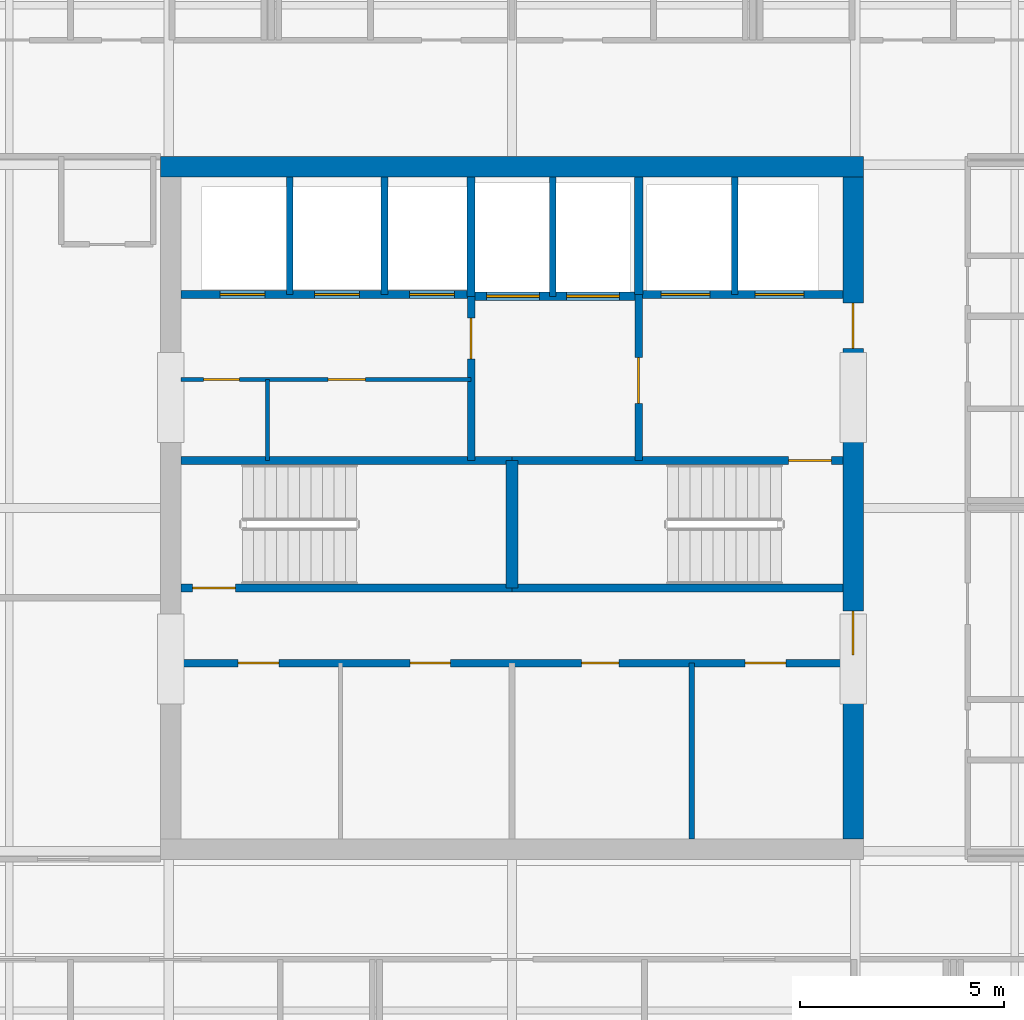
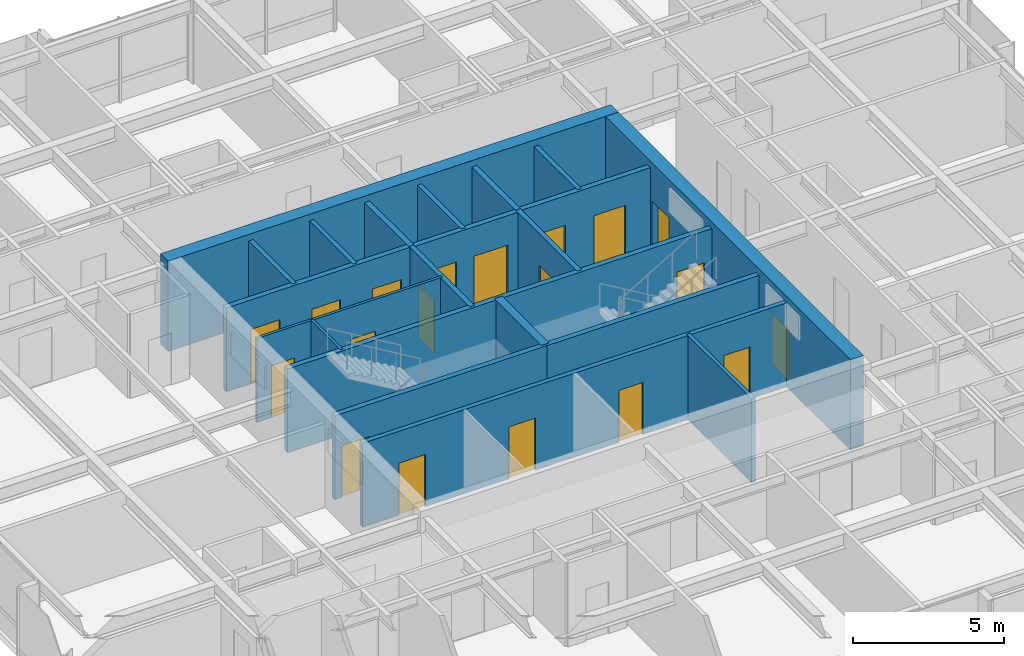
# One storey, part 28 of 33: 22 walls, 19 doors, 19 openings.
"""IFC4 building model written with IfcOpenShell, lengths in metres."""

from ifc_helpers import new_model, si_unit, direction, frame, frame_2d, origin, place, context, subcontext, project, spatial, rectangle, extrude, material, layer, layer_set, type_object, element, fill, save


model = new_model("IFC4")

# Units and contexts
model_context = context("Model", 3, precision=1e-05, world=origin(), true_north=direction((0.0, 1.0)))
body_context = subcontext(model_context, "Body", "Model", "MODEL_VIEW")
ifc_project = project(units=[si_unit("LENGTHUNIT", "METRE"), si_unit("AREAUNIT", "SQUARE_METRE"), si_unit("VOLUMEUNIT", "CUBIC_METRE"), si_unit("PLANEANGLEUNIT", "RADIAN"), si_unit("MASSUNIT", "GRAM", prefix="KILO")], contexts=[model_context])

# Site, building, storey
site_placement = place(None, origin())
site = spatial("IfcSite", under=ifc_project, at=site_placement, CompositionType="ELEMENT")
building_placement = place(site_placement, origin())
building = spatial("IfcBuilding", under=site, at=building_placement, Name="Drelvath Grand Hotel", CompositionType="ELEMENT")
storey_placement = place(building_placement, frame((0.0, 0.0, 268.64990234375)))
storey = spatial("IfcBuildingStorey", under=building, at=storey_placement, Name="L70", CompositionType="ELEMENT", Elevation=268.64990234375)

# Wall, openings, doors
ifc_material_1 = material(Name="Gypsum Partition Board")
ifc_layer_1 = layer(ifc_material_1, 0.10009765625)
ifc_layer_set_1 = layer_set([ifc_layer_1], Name="Gypsum Partition Board")
wall_type_1 = type_object("IfcWallType", Name="Core Closet Partition 100", PredefinedType="PARTITIONING", material=ifc_layer_set_1)
wall_1_placement = place(storey_placement, frame((-8.10009765625, 30.139892578125, 0.0), z_axis=(0.0, 0.0, 1.0), x_axis=(1.0, 0.0, 0.0)))
wall_1 = element("IfcWall", 1, at=wall_1_placement, inside=storey, type_object=wall_type_1, Name="L70 High-Rise Lobby Closet Wall", PredefinedType="PARTITIONING", context=body_context, shape_type="SweptSolid", body=[
    extrude(rectangle(XDim=7.10009765625, YDim=0.10009765625, at=frame_2d((3.550048828125, 0.0))), origin(), (0.0, 0.0, 1.0), 3.39013671875),
])
opening_1_placement = place(wall_1_placement, frame((0.550048828125, 0.0, 0.0)))
opening_1 = element("IfcOpeningElement", 2, at=opening_1_placement, cuts=wall_1, Name="Opening D-T5G1-013", PredefinedType="OPENING", context=body_context, shape_type="SweptSolid", body=[
    extrude(rectangle(XDim=0.8798828125, YDim=2.10009765625, at=frame_2d((0.43994140625, 1.050048828125))), frame((0.0, 0.06005859375, 0.0), z_axis=(0.0, -1.0, 0.0), x_axis=(1.0, 0.0, 0.0)), (0.0, 0.0, 1.0), 0.1201171875),
])
opening_2_placement = place(wall_1_placement, frame((3.60009765625, 0.0, 0.0)))
opening_2 = element("IfcOpeningElement", 3, at=opening_2_placement, cuts=wall_1, Name="Opening D-T5G1-014", PredefinedType="OPENING", context=body_context, shape_type="SweptSolid", body=[
    extrude(rectangle(XDim=0.919921875, YDim=2.10009765625, at=frame_2d((0.4599609375, 1.050048828125))), frame((0.0, 0.06005859375, 0.0), z_axis=(0.0, -1.0, 0.0), x_axis=(1.0, 0.0, 0.0)), (0.0, 0.0, 1.0), 0.1201171875),
])
ifc_material_2 = material(Name="Hardwood Walnut Timber", Category="wood")
door_type_1 = type_object("IfcDoorType", Name="En-Suite Bathroom Door 880x2100", OperationType="NOTDEFINED", PredefinedType="DOOR", material=ifc_material_2)
door_1_placement = place(opening_1_placement, origin())
door_1 = element("IfcDoor", 4, at=door_1_placement, inside=storey, type_object=door_type_1, Name="L70 Low-Voltage Closet Door", OperationType="SINGLE_SWING_RIGHT", OverallHeight=2.10009765625, OverallWidth=0.8798828125, PredefinedType="DOOR", context=body_context, shape_type="SweptSolid", body=[
    extrude(rectangle(XDim=0.8798828125, YDim=2.10009765625, at=frame_2d((0.43994140625, 1.050048828125))), frame((0.0, 0.02490234375, 0.0), z_axis=(0.0, -1.0, 0.0), x_axis=(1.0, 0.0, 0.0)), (0.0, 0.0, 1.0), 0.050048828125),
])
fill(opening_1, door_1)
ifc_material_3 = material(Name="Painted Steel S275", Category="steel")
door_type_2 = type_object("IfcDoorType", Name="Staff Utility Door 920x2100", OperationType="NOTDEFINED", PredefinedType="DOOR", material=ifc_material_3)
door_2_placement = place(opening_2_placement, origin())
door_2 = element("IfcDoor", 5, at=door_2_placement, inside=storey, type_object=door_type_2, Name="L70 Telecom Distribution Door", OperationType="SINGLE_SWING_LEFT", OverallHeight=2.10009765625, OverallWidth=0.919921875, PredefinedType="DOOR", context=body_context, shape_type="SweptSolid", body=[
    extrude(rectangle(XDim=0.919921875, YDim=2.10009765625, at=frame_2d((0.4599609375, 1.050048828125))), frame((0.0, 0.02490234375, 0.0), z_axis=(0.0, -1.0, 0.0), x_axis=(1.0, 0.0, 0.0)), (0.0, 0.0, 1.0), 0.050048828125),
])
fill(opening_2, door_2)

# Wall
wall_2_placement = place(storey_placement, frame((-5.97998046875, 28.159912109375, 0.0), z_axis=(0.0, 0.0, 1.0), x_axis=(0.0, 1.0, 0.0)))
element("IfcWall", 6, at=wall_2_placement, inside=storey, type_object=wall_type_1, Name="L70 Core Closet Split 2", PredefinedType="PARTITIONING", context=body_context, shape_type="SweptSolid", body=[
    extrude(rectangle(XDim=1.97998046875, YDim=0.10009765625, at=frame_2d((0.989990234375, 0.0))), origin(), (0.0, 0.0, 1.0), 3.39013671875),
])

# Wall, openings, doors
ifc_material_4 = material(Name="Concrete C40/50", Category="concrete")
ifc_layer_2 = layer(ifc_material_4, 0.199951171875)
ifc_layer_set_2 = layer_set([ifc_layer_2], Name="Concrete C40/50")
wall_type_2 = type_object("IfcWallType", Name="Core Hoistway Fire Wall 200", PredefinedType="SOLIDWALL", material=ifc_layer_set_2)
wall_3_placement = place(storey_placement, frame((3.10009765625, 32.219970703125, 0.0), z_axis=(0.0, 0.0, 1.0), x_axis=(1.0, 0.0, 0.0)))
wall_3 = element("IfcWall", 7, at=wall_3_placement, inside=storey, type_object=wall_type_2, Name="L70 FSAE Hoistway Front Wall", PredefinedType="SOLIDWALL", context=body_context, shape_type="SweptSolid", body=[
    extrude(rectangle(XDim=5.0, YDim=0.199951171875, at=frame_2d((2.5, 0.0))), origin(), (0.0, 0.0, 1.0), 3.39013671875),
])
opening_3_placement = place(wall_3_placement, frame((0.550048828125, 0.0, 0.0)))
opening_3 = element("IfcOpeningElement", 8, at=opening_3_placement, cuts=wall_3, Name="Opening LD-FSAE-1", PredefinedType="OPENING", context=body_context, shape_type="SweptSolid", body=[
    extrude(rectangle(XDim=1.199951171875, YDim=2.199951171875, at=frame_2d((0.60009765625, 1.10009765625))), frame((0.0, 0.10986328125, 0.0), z_axis=(0.0, -1.0, 0.0), x_axis=(1.0, 0.0, 0.0)), (0.0, 0.0, 1.0), 0.219970703125),
])
opening_4_placement = place(wall_3_placement, frame((2.85009765625, 0.0, 0.0)))
opening_4 = element("IfcOpeningElement", 9, at=opening_4_placement, cuts=wall_3, Name="Opening LD-FSAE-2", PredefinedType="OPENING", context=body_context, shape_type="SweptSolid", body=[
    extrude(rectangle(XDim=1.199951171875, YDim=2.199951171875, at=frame_2d((0.60009765625, 1.10009765625))), frame((0.0, 0.10986328125, 0.0), z_axis=(0.0, -1.0, 0.0), x_axis=(1.0, 0.0, 0.0)), (0.0, 0.0, 1.0), 0.219970703125),
])
ifc_material_5 = material(Name="Stainless Steel S355", Category="steel")
door_type_3 = type_object("IfcDoorType", Name="FSAE Lift Sliding Landing Door 1200x2200", OperationType="NOTDEFINED", PredefinedType="DOOR", material=ifc_material_5)
door_3_placement = place(opening_3_placement, origin())
door_3 = element("IfcDoor", 10, at=door_3_placement, inside=storey, type_object=door_type_3, Name="L70 Lift FSAE-1 Landing Door", OperationType="SLIDING_TO_LEFT", OverallHeight=2.199951171875, OverallWidth=1.199951171875, PredefinedType="DOOR", context=body_context, shape_type="SweptSolid", body=[
    extrude(rectangle(XDim=1.199951171875, YDim=2.199951171875, at=frame_2d((0.60009765625, 1.10009765625))), frame((0.0, 0.02490234375, 0.0), z_axis=(0.0, -1.0, 0.0), x_axis=(1.0, 0.0, 0.0)), (0.0, 0.0, 1.0), 0.050048828125),
])
fill(opening_3, door_3)
door_4_placement = place(opening_4_placement, origin())
door_4 = element("IfcDoor", 11, at=door_4_placement, inside=storey, type_object=door_type_3, Name="L70 Lift FSAE-2 Landing Door", OperationType="SLIDING_TO_LEFT", OverallHeight=2.199951171875, OverallWidth=1.199951171875, PredefinedType="DOOR", context=body_context, shape_type="SweptSolid", body=[
    extrude(rectangle(XDim=1.199951171875, YDim=2.199951171875, at=frame_2d((0.60009765625, 1.10009765625))), frame((0.0, 0.02490234375, 0.0), z_axis=(0.0, -1.0, 0.0), x_axis=(1.0, 0.0, 0.0)), (0.0, 0.0, 1.0), 0.050048828125),
])
fill(opening_4, door_4)

# Wall
wall_4_placement = place(storey_placement, frame((3.10009765625, 32.219970703125, 0.0), z_axis=(0.0, 0.0, 1.0), x_axis=(0.0, 1.0, 0.0)))
element("IfcWall", 12, at=wall_4_placement, inside=storey, type_object=wall_type_2, Name="L70 FSAE Hoistway West Wall", PredefinedType="SOLIDWALL", context=body_context, shape_type="SweptSolid", body=[
    extrude(rectangle(XDim=2.880126953125, YDim=0.199951171875, at=frame_2d((1.43994140625, 0.0))), origin(), (0.0, 0.0, 1.0), 3.39013671875),
])

# Wall, openings, doors
wall_5_placement = place(storey_placement, frame((-1.0, 32.179931640625, 0.0), z_axis=(0.0, 0.0, 1.0), x_axis=(1.0, 0.0, 0.0)))
wall_5 = element("IfcWall", 13, at=wall_5_placement, inside=storey, type_object=wall_type_2, Name="L70 Service Lift Hoistway Wall", PredefinedType="SOLIDWALL", context=body_context, shape_type="SweptSolid", body=[
    extrude(rectangle(XDim=4.10009765625, YDim=0.199951171875, at=frame_2d((2.050048828125, 0.0))), origin(), (0.0, 0.0, 1.0), 3.39013671875),
])
opening_5_placement = place(wall_5_placement, frame((0.3701171875, 0.0, 0.0)))
opening_5 = element("IfcOpeningElement", 14, at=opening_5_placement, cuts=wall_5, Name="Opening LD-SV-2", PredefinedType="OPENING", context=body_context, shape_type="SweptSolid", body=[
    extrude(rectangle(XDim=1.300048828125, YDim=2.199951171875, at=frame_2d((0.64990234375, 1.10009765625))), frame((0.0, 0.10986328125, 0.0), z_axis=(0.0, -1.0, 0.0), x_axis=(1.0, 0.0, 0.0)), (0.0, 0.0, 1.0), 0.219970703125),
])
opening_6_placement = place(wall_5_placement, frame((2.330078125, 0.0, 0.0)))
opening_6 = element("IfcOpeningElement", 15, at=opening_6_placement, cuts=wall_5, Name="Opening LD-SV-1", PredefinedType="OPENING", context=body_context, shape_type="SweptSolid", body=[
    extrude(rectangle(XDim=1.300048828125, YDim=2.199951171875, at=frame_2d((0.64990234375, 1.10009765625))), frame((0.0, 0.10986328125, 0.0), z_axis=(0.0, -1.0, 0.0), x_axis=(1.0, 0.0, 0.0)), (0.0, 0.0, 1.0), 0.219970703125),
])
door_type_4 = type_object("IfcDoorType", Name="Service Lift Sliding Landing Door 1300x2200", OperationType="NOTDEFINED", PredefinedType="DOOR", material=ifc_material_5)
door_5_placement = place(opening_5_placement, origin())
door_5 = element("IfcDoor", 16, at=door_5_placement, inside=storey, type_object=door_type_4, Name="L70 Lift SV-2 Landing Door", OperationType="SLIDING_TO_LEFT", OverallHeight=2.199951171875, OverallWidth=1.300048828125, PredefinedType="DOOR", context=body_context, shape_type="SweptSolid", body=[
    extrude(rectangle(XDim=1.300048828125, YDim=2.199951171875, at=frame_2d((0.64990234375, 1.10009765625))), frame((0.0, 0.02490234375, 0.0), z_axis=(0.0, -1.0, 0.0), x_axis=(1.0, 0.0, 0.0)), (0.0, 0.0, 1.0), 0.050048828125),
])
fill(opening_5, door_5)
door_6_placement = place(opening_6_placement, origin())
door_6 = element("IfcDoor", 17, at=door_6_placement, inside=storey, type_object=door_type_4, Name="L70 Lift SV-1 Landing Door", OperationType="SLIDING_TO_LEFT", OverallHeight=2.199951171875, OverallWidth=1.300048828125, PredefinedType="DOOR", context=body_context, shape_type="SweptSolid", body=[
    extrude(rectangle(XDim=1.300048828125, YDim=2.199951171875, at=frame_2d((0.64990234375, 1.10009765625))), frame((0.0, 0.02490234375, 0.0), z_axis=(0.0, -1.0, 0.0), x_axis=(1.0, 0.0, 0.0)), (0.0, 0.0, 1.0), 0.050048828125),
])
fill(opening_6, door_6)

# Wall
wall_6_placement = place(storey_placement, frame((-1.0, 32.179931640625, 0.0), z_axis=(0.0, 0.0, 1.0), x_axis=(0.0, 1.0, 0.0)))
element("IfcWall", 18, at=wall_6_placement, inside=storey, type_object=wall_type_2, Name="L70 Service Lift West Wall", PredefinedType="SOLIDWALL", context=body_context, shape_type="SweptSolid", body=[
    extrude(rectangle(XDim=2.920166015625, YDim=0.199951171875, at=frame_2d((1.4599609375, 0.0))), origin(), (0.0, 0.0, 1.0), 3.39013671875),
])

# Wall, openings, doors
wall_7_placement = place(storey_placement, frame((-8.10009765625, 32.219970703125, 0.0), z_axis=(0.0, 0.0, 1.0), x_axis=(1.0, 0.0, 0.0)))
wall_7 = element("IfcWall", 19, at=wall_7_placement, inside=storey, type_object=wall_type_2, Name="L70 Bank 3 Hoistway Wall", PredefinedType="SOLIDWALL", context=body_context, shape_type="SweptSolid", body=[
    extrude(rectangle(XDim=7.10009765625, YDim=0.199951171875, at=frame_2d((3.550048828125, 0.0))), origin(), (0.0, 0.0, 1.0), 3.39013671875),
])
opening_7_placement = place(wall_7_placement, frame((0.949951171875, 0.0, 0.0)))
opening_7 = element("IfcOpeningElement", 20, at=opening_7_placement, cuts=wall_7, Name="Opening LD-PE-7", PredefinedType="OPENING", context=body_context, shape_type="SweptSolid", body=[
    extrude(rectangle(XDim=1.10009765625, YDim=2.199951171875, at=frame_2d((0.550048828125, 1.10009765625))), frame((0.0, 0.10986328125, 0.0), z_axis=(0.0, -1.0, 0.0), x_axis=(1.0, 0.0, 0.0)), (0.0, 0.0, 1.0), 0.219970703125),
])
opening_8_placement = place(wall_7_placement, frame((3.27001953125, 0.0, 0.0)))
opening_8 = element("IfcOpeningElement", 21, at=opening_8_placement, cuts=wall_7, Name="Opening LD-PE-8", PredefinedType="OPENING", context=body_context, shape_type="SweptSolid", body=[
    extrude(rectangle(XDim=1.10009765625, YDim=2.199951171875, at=frame_2d((0.550048828125, 1.10009765625))), frame((0.0, 0.10986328125, 0.0), z_axis=(0.0, -1.0, 0.0), x_axis=(1.0, 0.0, 0.0)), (0.0, 0.0, 1.0), 0.219970703125),
])
opening_9_placement = place(wall_7_placement, frame((5.590087890625, 0.0, 0.0)))
opening_9 = element("IfcOpeningElement", 22, at=opening_9_placement, cuts=wall_7, Name="Opening LD-PE-9", PredefinedType="OPENING", context=body_context, shape_type="SweptSolid", body=[
    extrude(rectangle(XDim=1.10009765625, YDim=2.199951171875, at=frame_2d((0.550048828125, 1.10009765625))), frame((0.0, 0.10986328125, 0.0), z_axis=(0.0, -1.0, 0.0), x_axis=(1.0, 0.0, 0.0)), (0.0, 0.0, 1.0), 0.219970703125),
])
door_type_5 = type_object("IfcDoorType", Name="Passenger Lift Sliding Landing Door 1100x2200", OperationType="NOTDEFINED", PredefinedType="DOOR", material=ifc_material_5)
door_7_placement = place(opening_7_placement, origin())
door_7 = element("IfcDoor", 23, at=door_7_placement, inside=storey, type_object=door_type_5, Name="L70 Lift PE-7 Landing Door", OperationType="SLIDING_TO_LEFT", OverallHeight=2.199951171875, OverallWidth=1.10009765625, PredefinedType="DOOR", context=body_context, shape_type="SweptSolid", body=[
    extrude(rectangle(XDim=1.10009765625, YDim=2.199951171875, at=frame_2d((0.550048828125, 1.10009765625))), frame((0.0, 0.02490234375, 0.0), z_axis=(0.0, -1.0, 0.0), x_axis=(1.0, 0.0, 0.0)), (0.0, 0.0, 1.0), 0.050048828125),
])
fill(opening_7, door_7)
door_8_placement = place(opening_8_placement, origin())
door_8 = element("IfcDoor", 24, at=door_8_placement, inside=storey, type_object=door_type_5, Name="L70 Lift PE-8 Landing Door", OperationType="SLIDING_TO_LEFT", OverallHeight=2.199951171875, OverallWidth=1.10009765625, PredefinedType="DOOR", context=body_context, shape_type="SweptSolid", body=[
    extrude(rectangle(XDim=1.10009765625, YDim=2.199951171875, at=frame_2d((0.550048828125, 1.10009765625))), frame((0.0, 0.02490234375, 0.0), z_axis=(0.0, -1.0, 0.0), x_axis=(1.0, 0.0, 0.0)), (0.0, 0.0, 1.0), 0.050048828125),
])
fill(opening_8, door_8)
door_9_placement = place(opening_9_placement, origin())
door_9 = element("IfcDoor", 25, at=door_9_placement, inside=storey, type_object=door_type_5, Name="L70 Lift PE-9 Landing Door", OperationType="SLIDING_TO_LEFT", OverallHeight=2.199951171875, OverallWidth=1.10009765625, PredefinedType="DOOR", context=body_context, shape_type="SweptSolid", body=[
    extrude(rectangle(XDim=1.10009765625, YDim=2.199951171875, at=frame_2d((0.550048828125, 1.10009765625))), frame((0.0, 0.02490234375, 0.0), z_axis=(0.0, -1.0, 0.0), x_axis=(1.0, 0.0, 0.0)), (0.0, 0.0, 1.0), 0.050048828125),
])
fill(opening_9, door_9)

# Wall, opening, door
ifc_layer_3 = layer(ifc_material_4, 0.199951171875)
ifc_layer_set_3 = layer_set([ifc_layer_3], Name="Concrete C40/50")
wall_type_3 = type_object("IfcWallType", Name="Core Shaft Fire Wall 200", PredefinedType="SOLIDWALL", material=ifc_layer_set_3)
wall_8_placement = place(storey_placement, frame((-8.10009765625, 25.0400390625, 0.0), z_axis=(0.0, 0.0, 1.0), x_axis=(1.0, 0.0, 0.0)))
wall_8 = element("IfcWall", 26, at=wall_8_placement, inside=storey, type_object=wall_type_3, Name="L70 Stair ST-1 South Wall", PredefinedType="SOLIDWALL", context=body_context, shape_type="SweptSolid", body=[
    extrude(rectangle(XDim=8.10009765625, YDim=0.199951171875, at=frame_2d((4.050048828125, 0.0))), origin(), (0.0, 0.0, 1.0), 3.39013671875),
])
opening_10_placement = place(wall_8_placement, frame((0.280029296875, 0.0, 0.0)))
opening_10 = element("IfcOpeningElement", 27, at=opening_10_placement, cuts=wall_8, Name="Opening D-T5G1-001", PredefinedType="OPENING", context=body_context, shape_type="SweptSolid", body=[
    extrude(rectangle(XDim=1.050048828125, YDim=2.10009765625, at=frame_2d((0.52490234375, 1.050048828125))), frame((0.0, 0.10986328125, 0.0), z_axis=(0.0, -1.0, 0.0), x_axis=(1.0, 0.0, 0.0)), (0.0, 0.0, 1.0), 0.219970703125),
])
door_type_6 = type_object("IfcDoorType", Name="Tower Stairwell Fire Door 1050x2100", OperationType="NOTDEFINED", PredefinedType="DOOR", material=ifc_material_3)
door_10_placement = place(opening_10_placement, origin())
door_10 = element("IfcDoor", 28, at=door_10_placement, inside=storey, type_object=door_type_6, Name="L70 Exit Stair ST-1 Door", OperationType="SINGLE_SWING_LEFT", OverallHeight=2.10009765625, OverallWidth=1.050048828125, PredefinedType="DOOR", context=body_context, shape_type="SweptSolid", body=[
    extrude(rectangle(XDim=1.050048828125, YDim=2.10009765625, at=frame_2d((0.52490234375, 1.050048828125))), frame((0.0, 0.02490234375, 0.0), z_axis=(0.0, -1.0, 0.0), x_axis=(1.0, 0.0, 0.0)), (0.0, 0.0, 1.0), 0.050048828125),
])
fill(opening_10, door_10)

# Walls
for number, where, z_axis, x_axis, name in (
    (29, (-8.10009765625, 28.159912109375, 0.0), (0.0, 0.0, 1.0), (1.0, 0.0, 0.0), "L70 Stair ST-1 North Wall"),
    (30, (0.0, 25.0400390625, 0.0), (0.0, 0.0, 1.0), (1.0, 0.0, 0.0), "L70 Stair ST-2 South Wall"),
):
    element("IfcWall", number, at=place(storey_placement, frame(where, z_axis=z_axis, x_axis=x_axis)), inside=storey, type_object=wall_type_3, Name=name, PredefinedType="SOLIDWALL", context=body_context, shape_type="SweptSolid", body=[
        extrude(rectangle(XDim=8.10009765625, YDim=0.199951171875, at=frame_2d((4.050048828125, 0.0))), origin(), (0.0, 0.0, 1.0), 3.39013671875),
    ])

# Wall, opening, door
wall_9_placement = place(storey_placement, frame((8.10009765625, 28.159912109375, 0.0), z_axis=(0.0, 0.0, 1.0), x_axis=(-1.0, 0.0, 0.0)))
wall_9 = element("IfcWall", 31, at=wall_9_placement, inside=storey, type_object=wall_type_3, Name="L70 Stair ST-2 North Wall", PredefinedType="SOLIDWALL", context=body_context, shape_type="SweptSolid", body=[
    extrude(rectangle(XDim=8.10009765625, YDim=0.199951171875, at=frame_2d((4.050048828125, 0.0))), origin(), (0.0, 0.0, 1.0), 3.39013671875),
])
opening_11_placement = place(wall_9_placement, frame((0.280029296875, 0.0, 0.0)))
opening_11 = element("IfcOpeningElement", 32, at=opening_11_placement, cuts=wall_9, Name="Opening D-T5G1-002", PredefinedType="OPENING", context=body_context, shape_type="SweptSolid", body=[
    extrude(rectangle(XDim=1.050048828125, YDim=2.10009765625, at=frame_2d((0.52490234375, 1.050048828125))), frame((0.0, 0.10986328125, 0.0), z_axis=(0.0, -1.0, 0.0), x_axis=(1.0, 0.0, 0.0)), (0.0, 0.0, 1.0), 0.219970703125),
])
door_11_placement = place(opening_11_placement, origin())
door_11 = element("IfcDoor", 33, at=door_11_placement, inside=storey, type_object=door_type_6, Name="L70 Exit Stair ST-2 Door", OperationType="SINGLE_SWING_LEFT", OverallHeight=2.10009765625, OverallWidth=1.050048828125, PredefinedType="DOOR", context=body_context, shape_type="SweptSolid", body=[
    extrude(rectangle(XDim=1.050048828125, YDim=2.10009765625, at=frame_2d((0.52490234375, 1.050048828125))), frame((0.0, 0.02490234375, 0.0), z_axis=(0.0, -1.0, 0.0), x_axis=(1.0, 0.0, 0.0)), (0.0, 0.0, 1.0), 0.050048828125),
])
fill(opening_11, door_11)

# Walls
ifc_layer_4 = layer(ifc_material_4, 0.300048828125)
ifc_layer_set_4 = layer_set([ifc_layer_4], Name="Concrete C40/50")
wall_type_4 = type_object("IfcWallType", Name="Core Shaft Fire Wall 300", PredefinedType="SOLIDWALL", material=ifc_layer_set_4)
wall_10_placement = place(storey_placement, frame((0.0, 25.0400390625, 0.0), z_axis=(0.0, 0.0, 1.0), x_axis=(0.0, 1.0, 0.0)))
element("IfcWall", 34, at=wall_10_placement, inside=storey, type_object=wall_type_4, Name="L70 Core Stair Divider Wall", PredefinedType="SOLIDWALL", context=body_context, shape_type="SweptSolid", body=[
    extrude(rectangle(XDim=3.119873046875, YDim=0.300048828125, at=frame_2d((1.56005859375, 0.0))), origin(), (0.0, 0.0, 1.0), 3.39013671875),
])
ifc_material_6 = material(Name="Gypsum Fireboard Partition")
ifc_layer_5 = layer(ifc_material_6, 0.1650390625)
ifc_layer_set_5 = layer_set([ifc_layer_5], Name="Gypsum Fireboard Partition")
wall_type_5 = type_object("IfcWallType", Name="Core Shaft Partition 165", PredefinedType="PARTITIONING", material=ifc_layer_set_5)
wall_11_placement = place(storey_placement, frame((5.449951171875, 32.219970703125, 0.0), z_axis=(0.0, 0.0, 1.0), x_axis=(0.0, 1.0, 0.0)))
element("IfcWall", 35, at=wall_11_placement, inside=storey, type_object=wall_type_5, Name="L70 FSAE Hoistway Divider", PredefinedType="PARTITIONING", context=body_context, shape_type="SweptSolid", body=[
    extrude(rectangle(XDim=2.880126953125, YDim=0.1650390625, at=frame_2d((1.43994140625, 0.0))), origin(), (0.0, 0.0, 1.0), 3.39013671875),
])
wall_12_placement = place(storey_placement, frame((1.0, 32.179931640625, 0.0), z_axis=(0.0, 0.0, 1.0), x_axis=(0.0, 1.0, 0.0)))
element("IfcWall", 36, at=wall_12_placement, inside=storey, type_object=wall_type_5, Name="L70 Service Lift Divider", PredefinedType="PARTITIONING", context=body_context, shape_type="SweptSolid", body=[
    extrude(rectangle(XDim=2.920166015625, YDim=0.1650390625, at=frame_2d((1.4599609375, 0.0))), origin(), (0.0, 0.0, 1.0), 3.39013671875),
])
for number, where, z_axis, x_axis, name in (
    (37, (-5.43994140625, 32.219970703125, 0.0), (0.0, 0.0, 1.0), (0.0, 1.0, 0.0), "L70 Lift PE-7/8 Divider"),
    (38, (-3.1201171875, 32.219970703125, 0.0), (0.0, 0.0, 1.0), (0.0, 1.0, 0.0), "L70 Lift PE-8/9 Divider"),
):
    element("IfcWall", number, at=place(storey_placement, frame(where, z_axis=z_axis, x_axis=x_axis)), inside=storey, type_object=wall_type_5, Name=name, PredefinedType="PARTITIONING", context=body_context, shape_type="SweptSolid", body=[
        extrude(rectangle(XDim=2.880126953125, YDim=0.1650390625, at=frame_2d((1.43994140625, 0.0))), origin(), (0.0, 0.0, 1.0), 3.39013671875),
    ])
ifc_material_7 = material(Name="Moisture-Resistant Gypsum Board")
ifc_layer_6 = layer(ifc_material_7, 0.139892578125)
ifc_layer_set_6 = layer_set([ifc_layer_6], Name="Moisture-Resistant Gypsum Board")
wall_type_6 = type_object("IfcWallType", Name="En-Suite Plumbing Wall 140", PredefinedType="PLUMBINGWALL", material=ifc_layer_set_6)
wall_13_placement = place(storey_placement, frame((4.39990234375, 18.89990234375, 0.0), z_axis=(0.0, 0.0, 1.0), x_axis=(0.0, 1.0, 0.0)))
element("IfcWall", 39, at=wall_13_placement, inside=storey, type_object=wall_type_6, Name="L70 Upper Core Split 2C", PredefinedType="PLUMBINGWALL", context=body_context, shape_type="SweptSolid", body=[
    extrude(rectangle(XDim=4.300048828125, YDim=0.139892578125, at=frame_2d((2.14990234375, 0.0))), origin(), (0.0, 0.0, 1.0), 3.39013671875),
])

# Wall, opening, door
ifc_layer_7 = layer(ifc_material_6, 0.179931640625)
ifc_layer_set_7 = layer_set([ifc_layer_7], Name="Gypsum Fireboard Partition")
wall_type_7 = type_object("IfcWallType", Name="FSAE Smoke Lobby Fire Wall 180", PredefinedType="SOLIDWALL", material=ifc_layer_set_7)
wall_14_placement = place(storey_placement, frame((3.10009765625, 28.159912109375, 0.0), z_axis=(0.0, 0.0, 1.0), x_axis=(0.0, 1.0, 0.0)))
wall_14 = element("IfcWall", 40, at=wall_14_placement, inside=storey, type_object=wall_type_7, Name="L70 FSAE Smoke Lobby West Wall", PredefinedType="SOLIDWALL", context=body_context, shape_type="SweptSolid", body=[
    extrude(rectangle(XDim=4.06005859375, YDim=0.179931640625, at=frame_2d((2.030029296875, 0.0))), origin(), (0.0, 0.0, 1.0), 3.39013671875),
])
opening_12_placement = place(wall_14_placement, frame((1.39990234375, 0.0, 0.0)))
opening_12 = element("IfcOpeningElement", 41, at=opening_12_placement, cuts=wall_14, Name="Opening D-T5G1-005", PredefinedType="OPENING", context=body_context, shape_type="SweptSolid", body=[
    extrude(rectangle(XDim=1.1201171875, YDim=2.10009765625, at=frame_2d((0.56005859375, 1.050048828125))), frame((0.0, 0.099853515625, 0.0), z_axis=(0.0, -1.0, 0.0), x_axis=(1.0, 0.0, 0.0)), (0.0, 0.0, 1.0), 0.199951171875),
])
door_type_7 = type_object("IfcDoorType", Name="FSAE Smoke Lobby Fire Door 1120x2100", OperationType="NOTDEFINED", PredefinedType="DOOR", material=ifc_material_3)
door_12_placement = place(opening_12_placement, origin())
door_12 = element("IfcDoor", 42, at=door_12_placement, inside=storey, type_object=door_type_7, Name="L70 FSAE Lobby Service Vestibule Door", OperationType="SINGLE_SWING_RIGHT", OverallHeight=2.10009765625, OverallWidth=1.1201171875, PredefinedType="DOOR", context=body_context, shape_type="SweptSolid", body=[
    extrude(rectangle(XDim=1.1201171875, YDim=2.10009765625, at=frame_2d((0.56005859375, 1.050048828125))), frame((0.0, 0.02490234375, 0.0), z_axis=(0.0, -1.0, 0.0), x_axis=(1.0, 0.0, 0.0)), (0.0, 0.0, 1.0), 0.050048828125),
])
fill(opening_12, door_12)

wall_15_placement = place(storey_placement, frame((-1.0, 28.159912109375, 0.0), z_axis=(0.0, 0.0, 1.0), x_axis=(0.0, 1.0, 0.0)))
wall_15 = element("IfcWall", 43, at=wall_15_placement, inside=storey, type_object=wall_type_7, Name="L70 Service Vestibule West Wall", PredefinedType="SOLIDWALL", context=body_context, shape_type="SweptSolid", body=[
    extrude(rectangle(XDim=4.02001953125, YDim=0.179931640625, at=frame_2d((2.010009765625, 0.0))), origin(), (0.0, 0.0, 1.0), 3.39013671875),
])
opening_13_placement = place(wall_15_placement, frame((2.489990234375, 0.0, 0.0)))
opening_13 = element("IfcOpeningElement", 44, at=opening_13_placement, cuts=wall_15, Name="Opening D-T5G1-009", PredefinedType="OPENING", context=body_context, shape_type="SweptSolid", body=[
    extrude(rectangle(XDim=1.0, YDim=2.10009765625, at=frame_2d((0.5, 1.050048828125))), frame((0.0, 0.099853515625, 0.0), z_axis=(0.0, -1.0, 0.0), x_axis=(1.0, 0.0, 0.0)), (0.0, 0.0, 1.0), 0.199951171875),
])
door_type_8 = type_object("IfcDoorType", Name="Core Service Fire Door 1000x2100", OperationType="NOTDEFINED", PredefinedType="DOOR", material=ifc_material_3)
door_13_placement = place(opening_13_placement, origin())
door_13 = element("IfcDoor", 45, at=door_13_placement, inside=storey, type_object=door_type_8, Name="L70 Service Vestibule West Door", OperationType="SINGLE_SWING_LEFT", OverallHeight=2.10009765625, OverallWidth=1.0, PredefinedType="DOOR", context=body_context, shape_type="SweptSolid", body=[
    extrude(rectangle(XDim=1.0, YDim=2.10009765625, at=frame_2d((0.5, 1.050048828125))), frame((0.0, 0.02490234375, 0.0), z_axis=(0.0, -1.0, 0.0), x_axis=(1.0, 0.0, 0.0)), (0.0, 0.0, 1.0), 0.050048828125),
])
fill(opening_13, door_13)

# Wall, openings, doors
wall_16_placement = place(storey_placement, frame((-8.10009765625, 23.199951171875, 0.0), z_axis=(0.0, 0.0, 1.0), x_axis=(1.0, 0.0, 0.0)))
wall_16 = element("IfcWall", 46, at=wall_16_placement, inside=storey, type_object=wall_type_7, Name="L70 Upper Reclaimed Core Wall", PredefinedType="SOLIDWALL", context=body_context, shape_type="SweptSolid", body=[
    extrude(rectangle(XDim=16.2001953125, YDim=0.179931640625, at=frame_2d((8.10009765625, 0.0))), origin(), (0.0, 0.0, 1.0), 3.39013671875),
])
opening_14_placement = place(wall_16_placement, frame((1.39990234375, 0.0, 0.0)))
opening_14 = element("IfcOpeningElement", 47, at=opening_14_placement, cuts=wall_16, Name="Opening D-T5G1-016", PredefinedType="OPENING", context=body_context, shape_type="SweptSolid", body=[
    extrude(rectangle(XDim=1.0, YDim=2.10009765625, at=frame_2d((0.5, 1.050048828125))), frame((0.0, 0.099853515625, 0.0), z_axis=(0.0, -1.0, 0.0), x_axis=(1.0, 0.0, 0.0)), (0.0, 0.0, 1.0), 0.199951171875),
])
opening_15_placement = place(wall_16_placement, frame((5.60009765625, 0.0, 0.0)))
opening_15 = element("IfcOpeningElement", 48, at=opening_15_placement, cuts=wall_16, Name="Opening D-T5G1-017", PredefinedType="OPENING", context=body_context, shape_type="SweptSolid", body=[
    extrude(rectangle(XDim=1.0, YDim=2.10009765625, at=frame_2d((0.5, 1.050048828125))), frame((0.0, 0.099853515625, 0.0), z_axis=(0.0, -1.0, 0.0), x_axis=(1.0, 0.0, 0.0)), (0.0, 0.0, 1.0), 0.199951171875),
])
opening_16_placement = place(wall_16_placement, frame((9.800048828125, 0.0, 0.0)))
opening_16 = element("IfcOpeningElement", 49, at=opening_16_placement, cuts=wall_16, Name="Opening D-T5G1-018", PredefinedType="OPENING", context=body_context, shape_type="SweptSolid", body=[
    extrude(rectangle(XDim=0.919921875, YDim=2.10009765625, at=frame_2d((0.4599609375, 1.050048828125))), frame((0.0, 0.099853515625, 0.0), z_axis=(0.0, -1.0, 0.0), x_axis=(1.0, 0.0, 0.0)), (0.0, 0.0, 1.0), 0.199951171875),
])
opening_17_placement = place(wall_16_placement, frame((13.800048828125, 0.0, 0.0)))
opening_17 = element("IfcOpeningElement", 50, at=opening_17_placement, cuts=wall_16, Name="Opening D-T5G1-019", PredefinedType="OPENING", context=body_context, shape_type="SweptSolid", body=[
    extrude(rectangle(XDim=1.0, YDim=2.10009765625, at=frame_2d((0.5, 1.050048828125))), frame((0.0, 0.099853515625, 0.0), z_axis=(0.0, -1.0, 0.0), x_axis=(1.0, 0.0, 0.0)), (0.0, 0.0, 1.0), 0.199951171875),
])
door_14_placement = place(opening_14_placement, origin())
door_14 = element("IfcDoor", 51, at=door_14_placement, inside=storey, type_object=door_type_8, Name="L70 Housekeeping Door", OperationType="SINGLE_SWING_LEFT", OverallHeight=2.10009765625, OverallWidth=1.0, PredefinedType="DOOR", context=body_context, shape_type="SweptSolid", body=[
    extrude(rectangle(XDim=1.0, YDim=2.10009765625, at=frame_2d((0.5, 1.050048828125))), frame((0.0, 0.02490234375, 0.0), z_axis=(0.0, -1.0, 0.0), x_axis=(1.0, 0.0, 0.0)), (0.0, 0.0, 1.0), 0.050048828125),
])
fill(opening_14, door_14)
door_15_placement = place(opening_15_placement, origin())
door_15 = element("IfcDoor", 52, at=door_15_placement, inside=storey, type_object=door_type_8, Name="L70 Valet Door", OperationType="SINGLE_SWING_RIGHT", OverallHeight=2.10009765625, OverallWidth=1.0, PredefinedType="DOOR", context=body_context, shape_type="SweptSolid", body=[
    extrude(rectangle(XDim=1.0, YDim=2.10009765625, at=frame_2d((0.5, 1.050048828125))), frame((0.0, 0.02490234375, 0.0), z_axis=(0.0, -1.0, 0.0), x_axis=(1.0, 0.0, 0.0)), (0.0, 0.0, 1.0), 0.050048828125),
])
fill(opening_15, door_15)
door_16_placement = place(opening_16_placement, origin())
door_16 = element("IfcDoor", 53, at=door_16_placement, inside=storey, type_object=door_type_8, Name="L70 Staff WC Door", OperationType="SINGLE_SWING_LEFT", OverallHeight=2.10009765625, OverallWidth=0.919921875, PredefinedType="DOOR", context=body_context, shape_type="SweptSolid", body=[
    extrude(rectangle(XDim=0.919921875, YDim=2.10009765625, at=frame_2d((0.4599609375, 1.050048828125))), frame((0.0, 0.02490234375, 0.0), z_axis=(0.0, -1.0, 0.0), x_axis=(1.0, 0.0, 0.0)), (0.0, 0.0, 1.0), 0.050048828125),
])
fill(opening_16, door_16)
door_17_placement = place(opening_17_placement, origin())
door_17 = element("IfcDoor", 54, at=door_17_placement, inside=storey, type_object=door_type_8, Name="L70 Telecom Door", OperationType="SINGLE_SWING_RIGHT", OverallHeight=2.10009765625, OverallWidth=1.0, PredefinedType="DOOR", context=body_context, shape_type="SweptSolid", body=[
    extrude(rectangle(XDim=1.0, YDim=2.10009765625, at=frame_2d((0.5, 1.050048828125))), frame((0.0, 0.02490234375, 0.0), z_axis=(0.0, -1.0, 0.0), x_axis=(1.0, 0.0, 0.0)), (0.0, 0.0, 1.0), 0.050048828125),
])
fill(opening_17, door_17)

# Wall
ifc_material_8 = material(Name="Concrete f'c 55 MPa", Category="concrete")
ifc_layer_8 = layer(ifc_material_8, 0.5)
ifc_layer_set_8 = layer_set([ifc_layer_8], Name="Concrete f'c 55 MPa")
wall_type_8 = type_object("IfcWallType", Name="Upper Core RC Shear Wall 500", PredefinedType="SHEAR", material=ifc_layer_set_8)
wall_17_placement = place(storey_placement, frame((-8.60009765625, 35.35009765625, 0.0), z_axis=(0.0, 0.0, 1.0), x_axis=(1.0, 0.0, 0.0)))
element("IfcWall", 55, at=wall_17_placement, inside=storey, type_object=wall_type_8, Name="L70 Central Core Shear Wall N", PredefinedType="SHEAR", context=body_context, shape_type="SweptSolid", body=[
    extrude(rectangle(XDim=17.2001953125, YDim=0.5, at=frame_2d((8.60009765625, 0.0))), origin(), (0.0, 0.0, 1.0), 3.650146484375),
])

# Wall, openings, doors
wall_18_placement = place(storey_placement, frame((8.35009765625, 35.10009765625, 0.0), z_axis=(0.0, 0.0, 1.0), x_axis=(0.0, -1.0, 0.0)))
wall_18 = element("IfcWall", 56, at=wall_18_placement, inside=storey, type_object=wall_type_8, Name="L70 Central Core Shear Wall E", PredefinedType="SHEAR", context=body_context, shape_type="SweptSolid", body=[
    extrude(rectangle(XDim=16.2001953125, YDim=0.5, at=frame_2d((8.10009765625, 0.0))), origin(), (0.0, 0.0, 1.0), 3.650146484375),
])
opening_18_placement = place(wall_18_placement, frame((3.080078125, 0.0, 0.0)))
opening_18 = element("IfcOpeningElement", 57, at=opening_18_placement, cuts=wall_18, Name="Opening D-T5G1-006", PredefinedType="OPENING", context=body_context, shape_type="SweptSolid", body=[
    extrude(rectangle(XDim=1.1201171875, YDim=2.10009765625, at=frame_2d((0.56005859375, 1.050048828125))), frame((0.0, 0.260009765625, 0.0), z_axis=(0.0, -1.0, 0.0), x_axis=(1.0, 0.0, 0.0)), (0.0, 0.0, 1.0), 0.52001953125),
])
opening_19_placement = place(wall_18_placement, frame((10.6201171875, 0.0, 0.0)))
opening_19 = element("IfcOpeningElement", 58, at=opening_19_placement, cuts=wall_18, Name="Opening D-T5G1-015", PredefinedType="OPENING", context=body_context, shape_type="SweptSolid", body=[
    extrude(rectangle(XDim=1.080078125, YDim=2.0400390625, at=frame_2d((0.5400390625, 1.02001953125))), frame((0.0, 0.260009765625, 0.0), z_axis=(0.0, -1.0, 0.0), x_axis=(1.0, 0.0, 0.0)), (0.0, 0.0, 1.0), 0.52001953125),
])
door_type_9 = type_object("IfcDoorType", Name="Core Corridor Fire Door 1080x2100", OperationType="NOTDEFINED", PredefinedType="DOOR", material=ifc_material_3)
door_18_placement = place(opening_19_placement, origin())
door_18 = element("IfcDoor", 59, at=door_18_placement, inside=storey, type_object=door_type_9, Name="L70 Core Passage East Door", OperationType="SINGLE_SWING_RIGHT", OverallHeight=2.0400390625, OverallWidth=1.080078125, PredefinedType="DOOR", context=body_context, shape_type="SweptSolid", body=[
    extrude(rectangle(XDim=1.080078125, YDim=2.0400390625, at=frame_2d((0.5400390625, 1.02001953125))), frame((0.0, 0.02490234375, 0.0), z_axis=(0.0, -1.0, 0.0), x_axis=(1.0, 0.0, 0.0)), (0.0, 0.0, 1.0), 0.050048828125),
])
fill(opening_19, door_18)
door_19_placement = place(opening_18_placement, origin())
door_19 = element("IfcDoor", 60, at=door_19_placement, inside=storey, type_object=door_type_7, Name="L70 FSAE Lobby East Corridor Door", OperationType="SINGLE_SWING_LEFT", OverallHeight=2.10009765625, OverallWidth=1.1201171875, PredefinedType="DOOR", context=body_context, shape_type="SweptSolid", body=[
    extrude(rectangle(XDim=1.1201171875, YDim=2.10009765625, at=frame_2d((0.56005859375, 1.050048828125))), frame((0.0, 0.02490234375, 0.0), z_axis=(0.0, -1.0, 0.0), x_axis=(1.0, 0.0, 0.0)), (0.0, 0.0, 1.0), 0.050048828125),
])
fill(opening_18, door_19)

save(model, "model.ifc")
